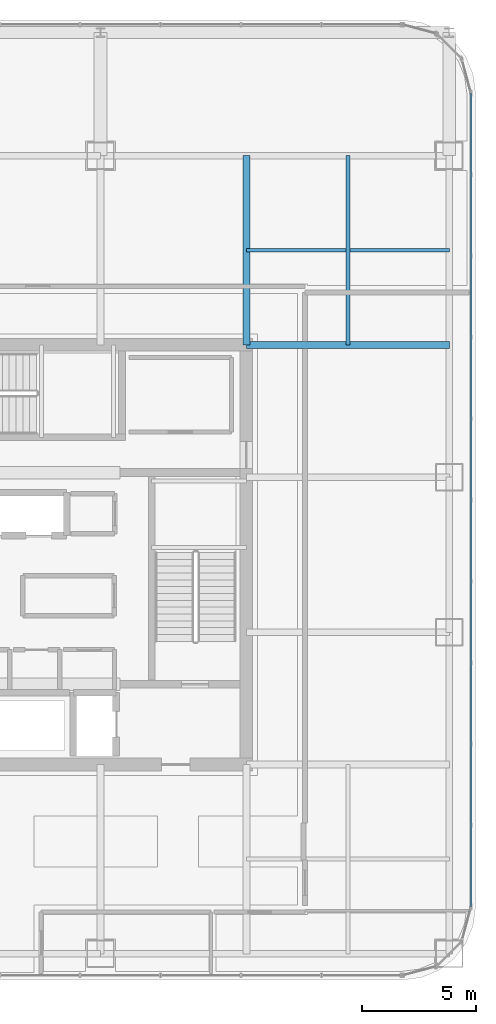
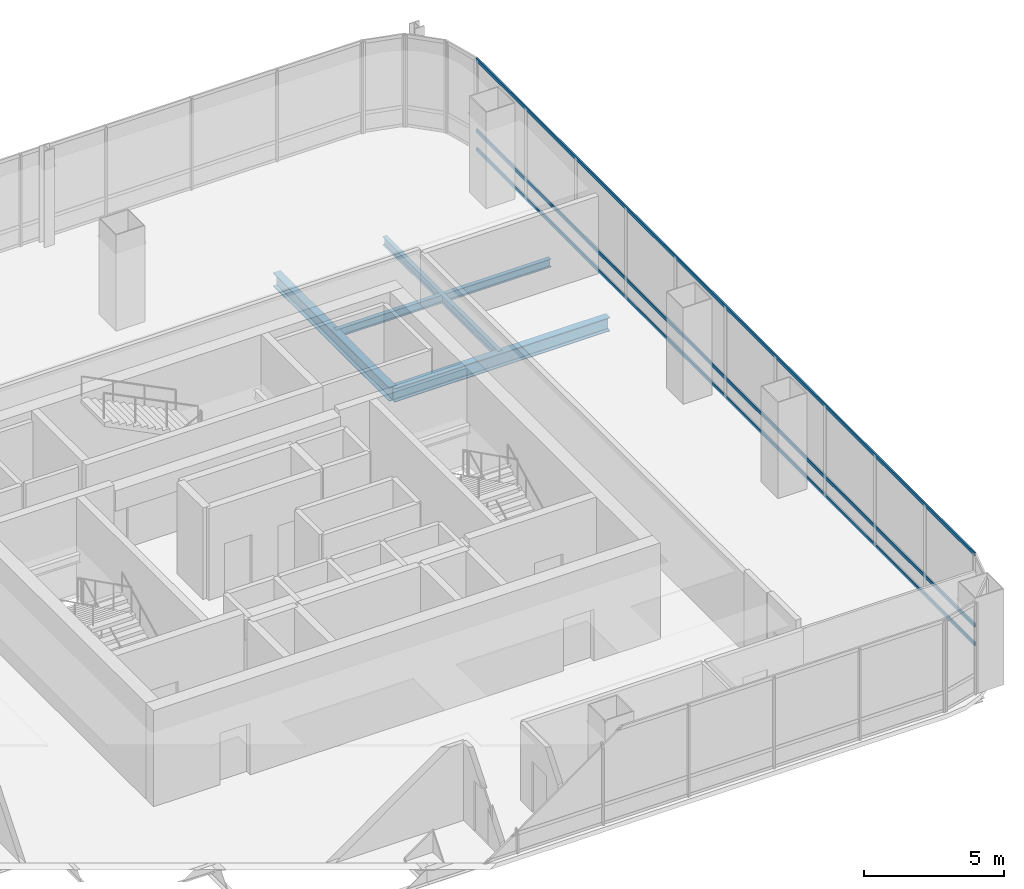
# One storey, part 19 of 42: 4 beams, 3 members, 1 element without a shape of its own.
"""IFC4 building model written with IfcOpenShell, lengths in metres."""

from ifc_helpers import new_model, si_unit, direction, frame, origin, origin_2d, place, context, subcontext, project, spatial, hollow_rectangle, i_section, extrude, material, material_profile, profile_set, type_object, element, aggregate, save


model = new_model("IFC4")

# Units and contexts
model_context = context("Model", 3, precision=1e-05, world=origin(), true_north=direction((0.0, 1.0)))
body_context = subcontext(model_context, "Body", "Model", "MODEL_VIEW")
ifc_project = project(units=[si_unit("LENGTHUNIT", "METRE"), si_unit("AREAUNIT", "SQUARE_METRE"), si_unit("VOLUMEUNIT", "CUBIC_METRE"), si_unit("PLANEANGLEUNIT", "RADIAN"), si_unit("MASSUNIT", "GRAM", prefix="KILO")], contexts=[model_context])

# Site, building, storey
site_placement = place(None, origin())
site = spatial("IfcSite", under=ifc_project, at=site_placement, CompositionType="ELEMENT")
building_placement = place(site_placement, origin())
building = spatial("IfcBuilding", under=site, at=building_placement, Name="Punatoya Terracotta Tower", CompositionType="ELEMENT")
storey_placement = place(building_placement, frame((0.0, 0.0, 296.39990234375)))
storey = spatial("IfcBuildingStorey", under=building, at=storey_placement, Name="L70", CompositionType="ELEMENT", Elevation=296.39990234375)

# Beams
ifc_material_1 = material(Name="Steel S355", Category="steel")
ifc_material_profile_1 = material_profile(ifc_material_1, i_section(OverallWidth=0.300048828125, OverallDepth=0.60009765625, WebThickness=0.015380859375, FlangeThickness=0.030029296875, FilletRadius=0.01806640625, at=origin_2d()))
ifc_profile_set_1 = profile_set([ifc_material_profile_1], Name="Steel S355")
beam_type_1 = type_object("IfcBeamType", Name="BM-PRI-600", PredefinedType="BEAM", material=ifc_profile_set_1)
beam_1_placement = place(storey_placement, frame((10.199951171875, 9.199951171875, -0.5), z_axis=(1.0, 0.0, 0.0), x_axis=(0.0, 1.0, 0.0)))
element("IfcBeam", 1, at=beam_1_placement, inside=storey, type_object=beam_type_1, Name="BM-L70-PR-EN", PredefinedType="BEAM", context=body_context, shape_type="SweptSolid", body=[
    extrude(i_section(OverallWidth=0.300048828125, OverallDepth=0.60009765625, WebThickness=0.015380859375, FlangeThickness=0.030029296875, FilletRadius=0.01806640625, at=origin_2d()), origin(), (0.0, 0.0, 1.0), 8.900146484375),
])
beam_2_placement = place(storey_placement, frame((10.199951171875, 9.199951171875, -0.5), z_axis=(0.0, 1.0, 0.0), x_axis=(-1.0, 0.0, 0.0)))
element("IfcBeam", 2, at=beam_2_placement, inside=storey, type_object=beam_type_1, Name="BM-L70-PR-N4", PredefinedType="BEAM", context=body_context, shape_type="SweptSolid", body=[
    extrude(i_section(OverallWidth=0.300048828125, OverallDepth=0.60009765625, WebThickness=0.015380859375, FlangeThickness=0.030029296875, FilletRadius=0.01806640625, at=origin_2d()), origin(), (0.0, 0.0, 1.0), 8.300048828125),
])
ifc_material_profile_2 = material_profile(ifc_material_1, i_section(OverallWidth=0.169921875, OverallDepth=0.360107421875, WebThickness=0.008056640625, FlangeThickness=0.0126953125, FilletRadius=0.01806640625, at=origin_2d()))
ifc_profile_set_2 = profile_set([ifc_material_profile_2], Name="Steel S355")
beam_type_2 = type_object("IfcBeamType", Name="BM-SEC-360", PredefinedType="JOIST", material=ifc_profile_set_2)
beam_3_placement = place(storey_placement, frame((10.199951171875, 13.35009765625, -0.3798828125), z_axis=(1.0, 0.0, 0.0), x_axis=(0.0, 1.0, 0.0)))
element("IfcBeam", 3, at=beam_3_placement, inside=storey, type_object=beam_type_2, Name="BM-L70-SJN-2", PredefinedType="JOIST", context=body_context, shape_type="SweptSolid", body=[
    extrude(i_section(OverallWidth=0.169921875, OverallDepth=0.360107421875, WebThickness=0.008056640625, FlangeThickness=0.0126953125, FilletRadius=0.01806640625, at=origin_2d()), origin(), (0.0, 0.0, 1.0), 8.900146484375),
])
beam_4_placement = place(storey_placement, frame((14.64990234375, 9.199951171875, -0.3798828125), z_axis=(0.0, 1.0, 0.0), x_axis=(-1.0, 0.0, 0.0)))
element("IfcBeam", 4, at=beam_4_placement, inside=storey, type_object=beam_type_2, Name="BM-L70-SJE-2", PredefinedType="JOIST", context=body_context, shape_type="SweptSolid", body=[
    extrude(i_section(OverallWidth=0.169921875, OverallDepth=0.360107421875, WebThickness=0.008056640625, FlangeThickness=0.0126953125, FilletRadius=0.01806640625, at=origin_2d()), origin(), (0.0, 0.0, 1.0), 8.300048828125),
])

# Curtain wall, members
ifc_material_2 = material(Name="Aluminium 6063-T6 + Double Low-E Glass", Category="aluminium")
curtain_wall_type = type_object("IfcCurtainWallType", Name="CW-M3", PredefinedType="NOTDEFINED", material=ifc_material_2)
curtain_wall_placement = place(storey_placement, origin())
curtain_wall = element("IfcCurtainWall", 5, at=curtain_wall_placement, inside=storey, type_object=curtain_wall_type, Name="L70 Curtain Wall CW-L70-E05-1", PredefinedType="NOTDEFINED")
ifc_material_3 = material(Name="Aluminium 6063-T6", Category="aluminium")
ifc_material_profile_3 = material_profile(ifc_material_3, hollow_rectangle(XDim=0.068115234375, YDim=0.14990234375, WallThickness=0.00390625, at=origin_2d()))
ifc_profile_set_3 = profile_set([ifc_material_profile_3], Name="Aluminium 6063-T6")
member_type = type_object("IfcMemberType", Name="CW-TRN-TYP", PredefinedType="USERDEFINED", material=ifc_profile_set_3)
member_1_placement = place(storey_placement, frame((20.050048828125, -15.43701171875, 0.0400390625), z_axis=(0.0, 1.0, 0.0), x_axis=(-1.0, 0.0, 0.0)))
member_1 = element("IfcMember", 6, at=member_1_placement, type_object=member_type, Name="CW-L70-E05-1 Transom 1", ObjectType="TRANSOM", PredefinedType="USERDEFINED", context=body_context, shape_type="SweptSolid", body=[
    extrude(hollow_rectangle(XDim=0.068115234375, YDim=0.14990234375, WallThickness=0.00390625, at=origin_2d()), origin(), (0.0, 0.0, 1.0), 35.673828125),
])
member_2_placement = place(storey_placement, frame((20.050048828125, -15.43701171875, 0.85009765625), z_axis=(0.0, 1.0, 0.0), x_axis=(-1.0, 0.0, 0.0)))
member_2 = element("IfcMember", 7, at=member_2_placement, type_object=member_type, Name="CW-L70-E05-1 Transom 2", ObjectType="TRANSOM", PredefinedType="USERDEFINED", context=body_context, shape_type="SweptSolid", body=[
    extrude(hollow_rectangle(XDim=0.068115234375, YDim=0.14990234375, WallThickness=0.00390625, at=origin_2d()), origin(), (0.0, 0.0, 1.0), 35.673828125),
])
member_3_placement = place(storey_placement, frame((20.050048828125, -15.43701171875, 3.960205078125), z_axis=(0.0, 1.0, 0.0), x_axis=(-1.0, 0.0, 0.0)))
member_3 = element("IfcMember", 8, at=member_3_placement, type_object=member_type, Name="CW-L70-E05-1 Transom 3", ObjectType="TRANSOM", PredefinedType="USERDEFINED", context=body_context, shape_type="SweptSolid", body=[
    extrude(hollow_rectangle(XDim=0.068115234375, YDim=0.14990234375, WallThickness=0.00390625, at=origin_2d()), origin(), (0.0, 0.0, 1.0), 35.673828125),
])
aggregate(curtain_wall, [member_1, member_2, member_3])

save(model, "model.ifc")
